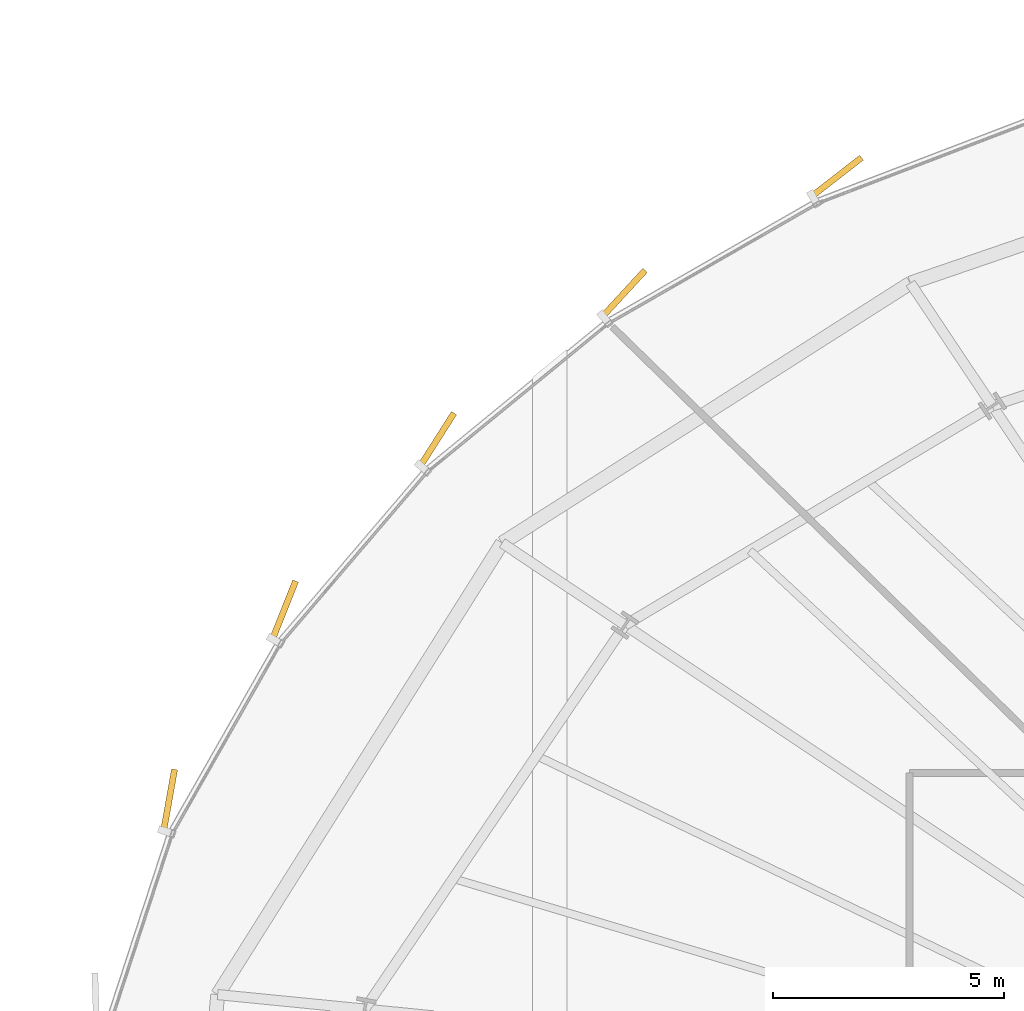
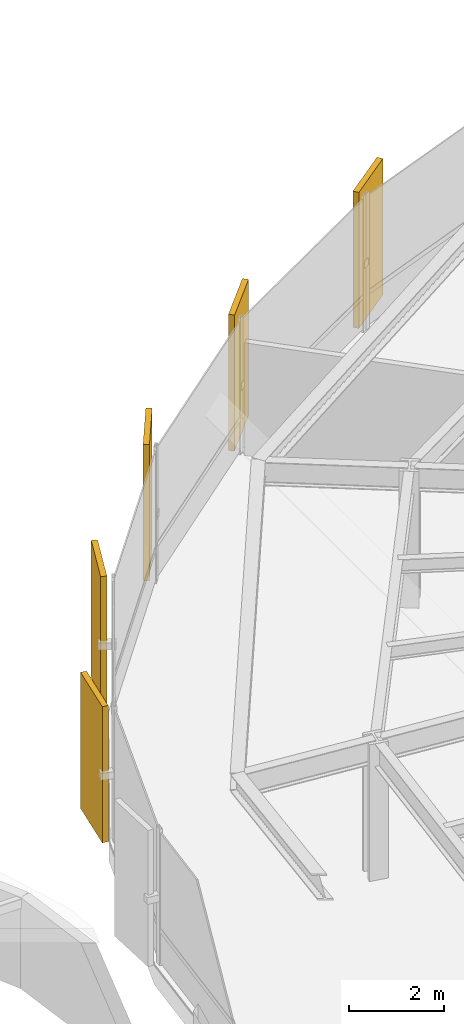
# One storey, part 34 of 38: 5 coverings.
"""IFC4 building model written with IfcOpenShell, lengths in metres."""

from ifc_helpers import new_model, si_unit, direction, frame, origin, origin_2d, place, context, subcontext, project, spatial, rectangle, extrude, source, transform, mapped, material, layer, layer_set, type_object, element, save


model = new_model("IFC4")

# Units and contexts
model_context = context("Model", 3, precision=1e-05, world=origin(), true_north=direction((0.0, 1.0)))
body_context = subcontext(model_context, "Body", "Model", "MODEL_VIEW")
ifc_project = project(units=[si_unit("LENGTHUNIT", "METRE"), si_unit("AREAUNIT", "SQUARE_METRE"), si_unit("VOLUMEUNIT", "CUBIC_METRE"), si_unit("PLANEANGLEUNIT", "RADIAN"), si_unit("MASSUNIT", "GRAM", prefix="KILO"), si_unit("THERMODYNAMICTEMPERATUREUNIT", "KELVIN")], contexts=[model_context])

# Site, building, storey
site_placement = place(None, origin())
site = spatial("IfcSite", under=ifc_project, at=site_placement, CompositionType="ELEMENT")
building_placement = place(site_placement, origin())
building = spatial("IfcBuilding", under=site, at=building_placement, Name="Kethvar Cultural Tower", CompositionType="ELEMENT")
storey_placement = place(building_placement, frame((0.0, 0.0, 29.60009765625)))
storey = spatial("IfcBuildingStorey", under=building, at=storey_placement, Name="L06", CompositionType="ELEMENT", Elevation=29.60009765625)

# Coverings
ifc_material = material(Name="Extruded Architectural Terracotta", Category="masonry")
ifc_layer = layer(ifc_material, 0.135009765625, Name="Extruded Architectural Terracotta", Category="masonry")
ifc_layer_set = layer_set([ifc_layer], Name="Extruded Architectural Terracotta (135 mm)")
covering_type = type_object("IfcCoveringType", Name="Terracotta Facade Fin FIN-01", PredefinedType="CLADDING", material=ifc_layer_set)
shared_shape = source(origin(), body_context, "Body", "SweptSolid", [
    extrude(rectangle(XDim=1.35009765625, YDim=0.135009765625, at=origin_2d()), origin(), (0.0, 0.0, 1.0), 3.510009765625),
])
for number, where, z_axis, x_axis, name in (
    (1, (31.276611328125, 50.952392578125, 0.02001953125), (0.0, 0.0, 1.0), (0.789512744476, 0.613734165832, 0.0), "L06 Vertical Terracotta Fin 3.1"),
    (2, (26.6630859375, 48.4287109375, 0.02001953125), (0.0, 0.0, 1.0), (0.67764643747, 0.735387860781, 0.0), "L06 Vertical Terracotta Fin 3.2"),
    (3, (22.618896484375, 45.26220703125, 0.02001953125), (0.0, 0.0, 1.0), (0.537299608347, 0.843391445813, 0.0), "L06 Vertical Terracotta Fin 3.3"),
    (4, (19.301025390625, 41.567138671875, 0.02001953125), (0.0, 0.0, 1.0), (0.36861133203, 0.92958360888, 0.0), "L06 Vertical Terracotta Fin 3.4"),
    (5, (16.809814453125, 37.4501953125, 0.02001953125), (0.0, 0.0, 1.0), (0.175366726092, 0.984503179974, 0.0), "L06 Vertical Terracotta Fin 3.5"),
):
    element("IfcCovering", number, at=place(storey_placement, frame(where, z_axis=z_axis, x_axis=x_axis)), inside=storey, type_object=covering_type, Name=name, PredefinedType="CLADDING", context=body_context, shape_type="MappedRepresentation", body=[
        mapped(shared_shape, transform((0.0, 0.0, 0.0), scale=1.0)),
    ])

save(model, "model.ifc")
